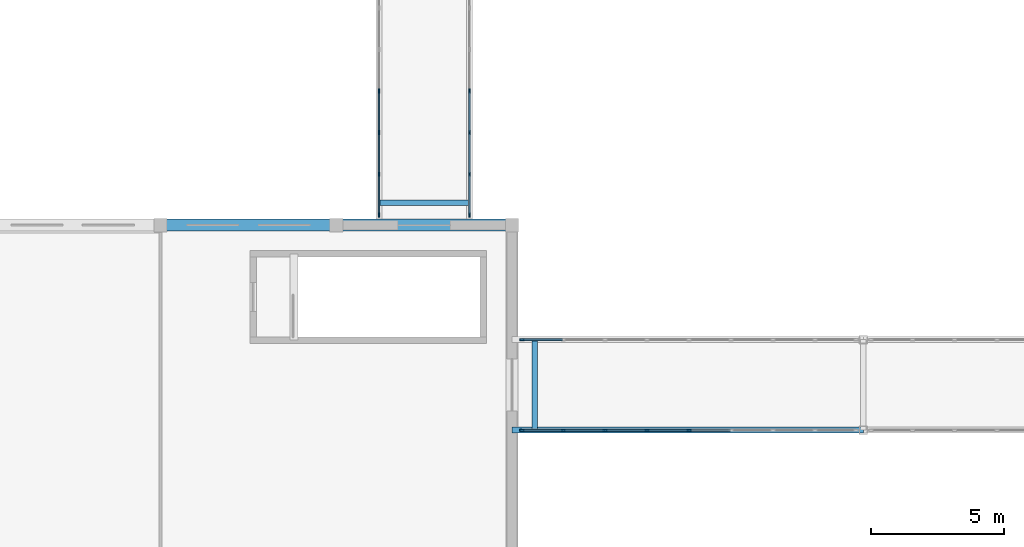
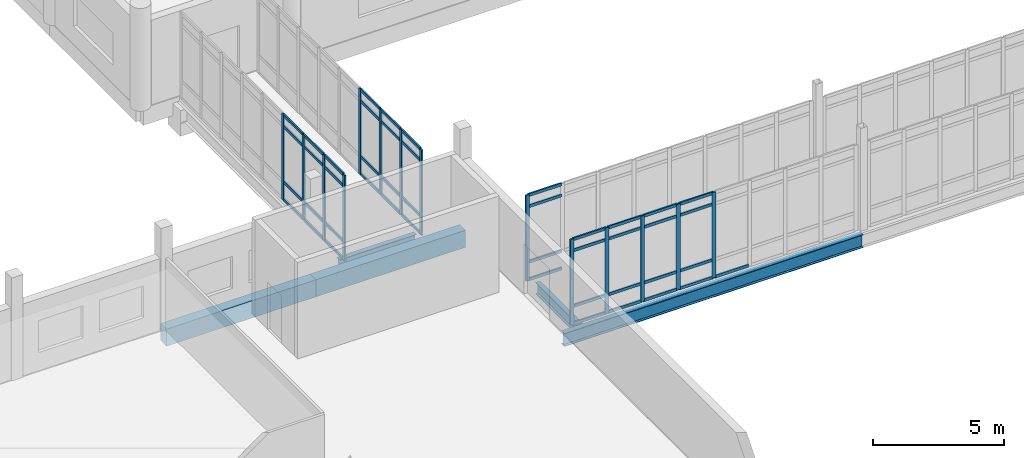
# One storey, part 10 of 101: 59 members, 5 beams, 4 elements without a shape of their own.
"""IFC4 building model written with IfcOpenShell, lengths in metres."""

from ifc_helpers import new_model, si_unit, direction, frame, origin, origin_2d, place, context, subcontext, project, spatial, rectangle, i_section, extrude, material, material_profile, profile_set, type_object, element, aggregate, save


model = new_model("IFC4")

# Units and contexts
model_context = context("Model", 3, precision=1e-05, world=origin(), true_north=direction((0.0, 1.0)))
body_context = subcontext(model_context, "Body", "Model", "MODEL_VIEW")
ifc_project = project(units=[si_unit("LENGTHUNIT", "METRE"), si_unit("AREAUNIT", "SQUARE_METRE"), si_unit("VOLUMEUNIT", "CUBIC_METRE"), si_unit("PLANEANGLEUNIT", "RADIAN"), si_unit("MASSUNIT", "GRAM", prefix="KILO")], contexts=[model_context])

# Site, building, storey
site_placement = place(None, origin())
site = spatial("IfcSite", under=ifc_project, at=site_placement, CompositionType="ELEMENT")
building_placement = place(site_placement, origin())
building = spatial("IfcBuilding", under=site, at=building_placement, Name="Dornvale Research Institute", CompositionType="ELEMENT")
storey_placement = place(building_placement, frame((0.0, 0.0, 10.199951171875)))
storey = spatial("IfcBuildingStorey", under=building, at=storey_placement, Name="L02", CompositionType="ELEMENT", Elevation=10.199951171875)

# Beams
ifc_material_1 = material(Name="Steel ASTM A992 Grade 50", Category="steel")
ifc_material_profile_1 = material_profile(ifc_material_1, i_section(OverallWidth=0.2099609375, OverallDepth=0.535888671875, WebThickness=0.010986328125, FlangeThickness=0.017333984375, at=origin_2d()), Name="W21X68")
ifc_profile_set_1 = profile_set([ifc_material_profile_1], Name="Steel ASTM A992 Grade 50")
beam_type_1 = type_object("IfcBeamType", Name="Beam_Steel_W21X68", PredefinedType="BEAM", material=ifc_profile_set_1)
for number, where, z_axis, x_axis, name in (
    (1, (41.199951171875, 27.25, -0.488037109375), (1.0, 0.0, 0.0), (0.0, 1.0, 0.0), "L02 BR-2 south cross beam #2013"),
    (2, (47.050048828125, 18.699951171875, -0.488037109375), (0.0, 1.0, 0.0), (-1.0, 0.0, 0.0), "L02 BR-6 west cross beam #2026"),
):
    element("IfcBeam", number, at=place(storey_placement, frame(where, z_axis=z_axis, x_axis=x_axis)), inside=storey, type_object=beam_type_1, Name=name, PredefinedType="BEAM", context=body_context, shape_type="SweptSolid", body=[
        extrude(i_section(OverallWidth=0.2099609375, OverallDepth=0.535888671875, WebThickness=0.010986328125, FlangeThickness=0.017333984375, at=origin_2d()), origin(), (0.0, 0.0, 1.0), 3.400146484375),
    ])
ifc_material_2 = material(Name="Steel ASTM A992 Grade 50", Category="steel")
ifc_material_profile_2 = material_profile(ifc_material_2, i_section(OverallWidth=0.22900390625, OverallDepth=0.612060546875, WebThickness=0.011962890625, FlangeThickness=0.01953125, at=origin_2d()), Name="W24X84")
ifc_profile_set_2 = profile_set([ifc_material_profile_2], Name="Steel ASTM A992 Grade 50")
beam_type_2 = type_object("IfcBeamType", Name="Beam_Steel_W24X84_Bridge", PredefinedType="BEAM", material=ifc_profile_set_2)
beam_1_placement = place(storey_placement, frame((46.199951171875, 18.699951171875, -0.52587890625), z_axis=(1.0, 0.0, 0.0), x_axis=(0.0, 1.0, 0.0)))
element("IfcBeam", 3, at=beam_1_placement, inside=storey, type_object=beam_type_2, Name="L02 BR-6 south girder #2026", PredefinedType="BEAM", context=body_context, shape_type="SweptSolid", body=[
    extrude(i_section(OverallWidth=0.22900390625, OverallDepth=0.612060546875, WebThickness=0.011962890625, FlangeThickness=0.01953125, at=origin_2d()), origin(), (0.0, 0.0, 1.0), 13.199951171875),
])

# Curtain wall, members
ifc_material_3 = material(Name="Low-E Argon Double Insulating Glazing Unit", Category="glass")
curtain_wall_type_1 = type_object("IfcCurtainWallType", Name="UnitisedCurtainWall_V2_12500x4000", PredefinedType="USERDEFINED", material=ifc_material_3)
curtain_wall_1_placement = place(storey_placement, origin())
curtain_wall_1 = element("IfcCurtainWall", 4, at=curtain_wall_1_placement, inside=storey, type_object=curtain_wall_type_1, Name="L02 V2 unitised curtain wall CW-39 #205", ObjectType="UNITISED CURTAIN WALL", PredefinedType="USERDEFINED")
ifc_material_4 = material(Name="Anodized Aluminum AA 6063-T6 Thermally Broken Frame", Category="aluminium")
ifc_material_profile_3 = material_profile(ifc_material_4, rectangle(XDim=0.06494140625, YDim=0.1650390625, at=origin_2d()), Name="ALU MULLION 65x165")
ifc_profile_set_3 = profile_set([ifc_material_profile_3], Name="Anodized Aluminum AA 6063-T6 Thermally Broken Frame")
member_type_1 = type_object("IfcMemberType", Name="Mullion_Atrium_65x165", PredefinedType="MULLION", material=ifc_profile_set_3)
member_1_placement = place(storey_placement, frame((41.199951171875, 26.782470703125, 0.0), z_axis=(0.0, 0.0, 1.0), x_axis=(-1.0, 0.0, 0.0)))
member_1 = element("IfcMember", 5, at=member_1_placement, type_object=member_type_1, Name="CW-39 mullion 1", PredefinedType="MULLION", context=body_context, shape_type="SweptSolid", body=[
    extrude(rectangle(XDim=0.06494140625, YDim=0.1650390625, at=origin_2d()), origin(), (0.0, 0.0, 1.0), 4.0),
])
member_2_placement = place(storey_placement, frame((41.199951171875, 28.3125, 0.0), z_axis=(0.0, 0.0, 1.0), x_axis=(-1.0, 0.0, 0.0)))
member_2 = element("IfcMember", 6, at=member_2_placement, type_object=member_type_1, Name="CW-39 mullion 2", PredefinedType="MULLION", context=body_context, shape_type="SweptSolid", body=[
    extrude(rectangle(XDim=0.06494140625, YDim=0.1650390625, at=origin_2d()), origin(), (0.0, 0.0, 1.0), 4.0),
])
member_3_placement = place(storey_placement, frame((41.199951171875, 29.875, 0.0), z_axis=(0.0, 0.0, 1.0), x_axis=(-1.0, 0.0, 0.0)))
member_3 = element("IfcMember", 7, at=member_3_placement, type_object=member_type_1, Name="CW-39 mullion 3", PredefinedType="MULLION", context=body_context, shape_type="SweptSolid", body=[
    extrude(rectangle(XDim=0.06494140625, YDim=0.1650390625, at=origin_2d()), origin(), (0.0, 0.0, 1.0), 4.0),
])
member_4_placement = place(storey_placement, frame((41.199951171875, 31.4375, 0.0), z_axis=(0.0, 0.0, 1.0), x_axis=(-1.0, 0.0, 0.0)))
member_4 = element("IfcMember", 8, at=member_4_placement, type_object=member_type_1, Name="CW-39 mullion 4", PredefinedType="MULLION", context=body_context, shape_type="SweptSolid", body=[
    extrude(rectangle(XDim=0.06494140625, YDim=0.1650390625, at=origin_2d()), origin(), (0.0, 0.0, 1.0), 4.0),
])

curtain_wall_2_placement = place(storey_placement, origin())
curtain_wall_2 = element("IfcCurtainWall", 9, at=curtain_wall_2_placement, inside=storey, type_object=curtain_wall_type_1, Name="L02 V2 unitised curtain wall CW-39 #206", ObjectType="UNITISED CURTAIN WALL", PredefinedType="USERDEFINED")
member_5_placement = place(storey_placement, frame((44.60009765625, 31.4375, 0.0), z_axis=(0.0, 0.0, 1.0), x_axis=(1.0, 0.0, 0.0)))
member_5 = element("IfcMember", 10, at=member_5_placement, type_object=member_type_1, Name="CW-39 mullion 6", PredefinedType="MULLION", context=body_context, shape_type="SweptSolid", body=[
    extrude(rectangle(XDim=0.06494140625, YDim=0.1650390625, at=origin_2d()), origin(), (0.0, 0.0, 1.0), 4.0),
])
member_6_placement = place(storey_placement, frame((44.60009765625, 29.875, 0.0), z_axis=(0.0, 0.0, 1.0), x_axis=(1.0, 0.0, 0.0)))
member_6 = element("IfcMember", 11, at=member_6_placement, type_object=member_type_1, Name="CW-39 mullion 7", PredefinedType="MULLION", context=body_context, shape_type="SweptSolid", body=[
    extrude(rectangle(XDim=0.06494140625, YDim=0.1650390625, at=origin_2d()), origin(), (0.0, 0.0, 1.0), 4.0),
])
member_7_placement = place(storey_placement, frame((44.60009765625, 28.3125, 0.0), z_axis=(0.0, 0.0, 1.0), x_axis=(1.0, 0.0, 0.0)))
member_7 = element("IfcMember", 12, at=member_7_placement, type_object=member_type_1, Name="CW-39 mullion 8", PredefinedType="MULLION", context=body_context, shape_type="SweptSolid", body=[
    extrude(rectangle(XDim=0.06494140625, YDim=0.1650390625, at=origin_2d()), origin(), (0.0, 0.0, 1.0), 4.0),
])
member_8_placement = place(storey_placement, frame((44.60009765625, 26.782470703125, 0.0), z_axis=(0.0, 0.0, 1.0), x_axis=(1.0, 0.0, 0.0)))
member_8 = element("IfcMember", 13, at=member_8_placement, type_object=member_type_1, Name="CW-39 mullion 9", PredefinedType="MULLION", context=body_context, shape_type="SweptSolid", body=[
    extrude(rectangle(XDim=0.06494140625, YDim=0.1650390625, at=origin_2d()), origin(), (0.0, 0.0, 1.0), 4.0),
])

# Curtain wall, member
ifc_material_5 = material(Name="Low-E Argon Double Insulating Glazing Unit", Category="glass")
curtain_wall_type_2 = type_object("IfcCurtainWallType", Name="UnitisedCurtainWall_V2_12600x4000", PredefinedType="USERDEFINED", material=ifc_material_5)
curtain_wall_3_placement = place(storey_placement, origin())
curtain_wall_3 = element("IfcCurtainWall", 14, at=curtain_wall_3_placement, inside=storey, type_object=curtain_wall_type_2, Name="L02 V2 unitised curtain wall CW-41 #223", ObjectType="UNITISED CURTAIN WALL", PredefinedType="USERDEFINED")
member_9_placement = place(storey_placement, frame((46.58251953125, 22.10009765625, 0.0), z_axis=(0.0, 0.0, 1.0), x_axis=(0.0, 1.0, 0.0)))
member_9 = element("IfcMember", 15, at=member_9_placement, type_object=member_type_1, Name="CW-41 mullion 1", PredefinedType="MULLION", context=body_context, shape_type="SweptSolid", body=[
    extrude(rectangle(XDim=0.06494140625, YDim=0.1650390625, at=origin_2d()), origin(), (0.0, 0.0, 1.0), 4.0),
])

# Curtain wall, members
curtain_wall_4_placement = place(storey_placement, origin())
curtain_wall_4 = element("IfcCurtainWall", 16, at=curtain_wall_4_placement, inside=storey, type_object=curtain_wall_type_2, Name="L02 V2 unitised curtain wall CW-41 #224", ObjectType="UNITISED CURTAIN WALL", PredefinedType="USERDEFINED")
member_10_placement = place(storey_placement, frame((52.85009765625, 18.699951171875, 0.0), z_axis=(0.0, 0.0, 1.0), x_axis=(0.0, -1.0, 0.0)))
member_10 = element("IfcMember", 17, at=member_10_placement, type_object=member_type_1, Name="CW-41 mullion 5", PredefinedType="MULLION", context=body_context, shape_type="SweptSolid", body=[
    extrude(rectangle(XDim=0.06494140625, YDim=0.1650390625, at=origin_2d()), origin(), (0.0, 0.0, 1.0), 4.0),
])
member_11_placement = place(storey_placement, frame((51.27490234375, 18.699951171875, 0.0), z_axis=(0.0, 0.0, 1.0), x_axis=(0.0, -1.0, 0.0)))
member_11 = element("IfcMember", 18, at=member_11_placement, type_object=member_type_1, Name="CW-41 mullion 6", PredefinedType="MULLION", context=body_context, shape_type="SweptSolid", body=[
    extrude(rectangle(XDim=0.06494140625, YDim=0.1650390625, at=origin_2d()), origin(), (0.0, 0.0, 1.0), 4.0),
])
member_12_placement = place(storey_placement, frame((49.699951171875, 18.699951171875, 0.0), z_axis=(0.0, 0.0, 1.0), x_axis=(0.0, -1.0, 0.0)))
member_12 = element("IfcMember", 19, at=member_12_placement, type_object=member_type_1, Name="CW-41 mullion 7", PredefinedType="MULLION", context=body_context, shape_type="SweptSolid", body=[
    extrude(rectangle(XDim=0.06494140625, YDim=0.1650390625, at=origin_2d()), origin(), (0.0, 0.0, 1.0), 4.0),
])
member_13_placement = place(storey_placement, frame((48.125, 18.699951171875, 0.0), z_axis=(0.0, 0.0, 1.0), x_axis=(0.0, -1.0, 0.0)))
member_13 = element("IfcMember", 20, at=member_13_placement, type_object=member_type_1, Name="CW-41 mullion 8", PredefinedType="MULLION", context=body_context, shape_type="SweptSolid", body=[
    extrude(rectangle(XDim=0.06494140625, YDim=0.1650390625, at=origin_2d()), origin(), (0.0, 0.0, 1.0), 4.0),
])
member_14_placement = place(storey_placement, frame((46.58251953125, 18.699951171875, 0.0), z_axis=(0.0, 0.0, 1.0), x_axis=(0.0, -1.0, 0.0)))
member_14 = element("IfcMember", 21, at=member_14_placement, type_object=member_type_1, Name="CW-41 mullion 9", PredefinedType="MULLION", context=body_context, shape_type="SweptSolid", body=[
    extrude(rectangle(XDim=0.06494140625, YDim=0.1650390625, at=origin_2d()), origin(), (0.0, 0.0, 1.0), 4.0),
])

# Beams
ifc_material_6 = material(Name="Concrete f'c 45 MPa (C35/45)", Category="concrete")
ifc_material_profile_4 = material_profile(ifc_material_6, rectangle(XDim=0.449951171875, YDim=0.800048828125, at=origin_2d()), Name="RC 450x800")
ifc_profile_set_4 = profile_set([ifc_material_profile_4], Name="Concrete f'c 45 MPa (C35/45)")
beam_type_3 = type_object("IfcBeamType", Name="Spandrel_RC450x800_Ext", PredefinedType="SPANDREL", material=ifc_profile_set_4)
beam_2_placement = place(storey_placement, frame((33.0, 26.39990234375, -0.39990234375), z_axis=(1.0, 0.0, 0.0), x_axis=(0.0, 1.0, 0.0)))
element("IfcBeam", 22, at=beam_2_placement, inside=storey, type_object=beam_type_3, Name="L02 perimeter spandrel #845", PredefinedType="SPANDREL", context=body_context, shape_type="SweptSolid", body=[
    extrude(rectangle(XDim=0.449951171875, YDim=0.800048828125, at=origin_2d()), origin(), (0.0, 0.0, 1.0), 6.60009765625),
])
beam_3_placement = place(storey_placement, frame((39.60009765625, 26.39990234375, -0.39990234375), z_axis=(1.0, 0.0, 0.0), x_axis=(0.0, 1.0, 0.0)))
element("IfcBeam", 23, at=beam_3_placement, inside=storey, type_object=beam_type_3, Name="L02 perimeter spandrel #846", PredefinedType="SPANDREL", context=body_context, shape_type="SweptSolid", body=[
    extrude(rectangle(XDim=0.449951171875, YDim=0.800048828125, at=origin_2d()), origin(), (0.0, 0.0, 1.0), 6.599853515625),
])

# Member
ifc_material_7 = material(Name="Anodized Aluminum AA 6063-T6 Thermally Broken Frame", Category="aluminium")
ifc_material_profile_5 = material_profile(ifc_material_7, rectangle(XDim=0.06494140625, YDim=0.135009765625, at=origin_2d()), Name="ALU TRANSOM 65x135")
ifc_profile_set_5 = profile_set([ifc_material_profile_5], Name="Anodized Aluminum AA 6063-T6 Thermally Broken Frame")
member_type_2 = type_object("IfcMemberType", Name="Transom_CW_65x135", PredefinedType="USERDEFINED", material=ifc_profile_set_5)
member_15_placement = place(storey_placement, frame((41.199951171875, 26.81494140625, 0.032470703125), z_axis=(0.0, 1.0, 0.0), x_axis=(-1.0, 0.0, 0.0)))
member_15 = element("IfcMember", 24, at=member_15_placement, type_object=member_type_2, Name="CW-39 transom 1.1", ObjectType="TRANSOM", PredefinedType="USERDEFINED", context=body_context, shape_type="SweptSolid", body=[
    extrude(rectangle(XDim=0.06494140625, YDim=0.135009765625, at=origin_2d()), origin(), (0.0, 0.0, 1.0), 1.465087890625),
])

member_16_placement = place(storey_placement, frame((41.199951171875, 26.81494140625, 0.85009765625), z_axis=(0.0, 1.0, 0.0), x_axis=(-1.0, 0.0, 0.0)))
member_16 = element("IfcMember", 25, at=member_16_placement, type_object=member_type_2, Name="CW-39 transom 1.2", ObjectType="TRANSOM", PredefinedType="USERDEFINED", context=body_context, shape_type="SweptSolid", body=[
    extrude(rectangle(XDim=0.06494140625, YDim=0.135009765625, at=origin_2d()), origin(), (0.0, 0.0, 1.0), 1.465087890625),
])

member_17_placement = place(storey_placement, frame((41.199951171875, 26.81494140625, 3.449951171875), z_axis=(0.0, 1.0, 0.0), x_axis=(-1.0, 0.0, 0.0)))
member_17 = element("IfcMember", 26, at=member_17_placement, type_object=member_type_2, Name="CW-39 transom 1.3", ObjectType="TRANSOM", PredefinedType="USERDEFINED", context=body_context, shape_type="SweptSolid", body=[
    extrude(rectangle(XDim=0.06494140625, YDim=0.135009765625, at=origin_2d()), origin(), (0.0, 0.0, 1.0), 1.465087890625),
])

member_18_placement = place(storey_placement, frame((41.199951171875, 26.81494140625, 3.967529296875), z_axis=(0.0, 1.0, 0.0), x_axis=(-1.0, 0.0, 0.0)))
member_18 = element("IfcMember", 27, at=member_18_placement, type_object=member_type_2, Name="CW-39 transom 1.4", ObjectType="TRANSOM", PredefinedType="USERDEFINED", context=body_context, shape_type="SweptSolid", body=[
    extrude(rectangle(XDim=0.06494140625, YDim=0.135009765625, at=origin_2d()), origin(), (0.0, 0.0, 1.0), 1.465087890625),
])

member_19_placement = place(storey_placement, frame((41.199951171875, 28.344970703125, 0.032470703125), z_axis=(0.0, 1.0, 0.0), x_axis=(-1.0, 0.0, 0.0)))
member_19 = element("IfcMember", 28, at=member_19_placement, type_object=member_type_2, Name="CW-39 transom 2.1", ObjectType="TRANSOM", PredefinedType="USERDEFINED", context=body_context, shape_type="SweptSolid", body=[
    extrude(rectangle(XDim=0.06494140625, YDim=0.135009765625, at=origin_2d()), origin(), (0.0, 0.0, 1.0), 1.49755859375),
])

member_20_placement = place(storey_placement, frame((41.199951171875, 28.344970703125, 0.85009765625), z_axis=(0.0, 1.0, 0.0), x_axis=(-1.0, 0.0, 0.0)))
member_20 = element("IfcMember", 29, at=member_20_placement, type_object=member_type_2, Name="CW-39 transom 2.2", ObjectType="TRANSOM", PredefinedType="USERDEFINED", context=body_context, shape_type="SweptSolid", body=[
    extrude(rectangle(XDim=0.06494140625, YDim=0.135009765625, at=origin_2d()), origin(), (0.0, 0.0, 1.0), 1.49755859375),
])

member_21_placement = place(storey_placement, frame((41.199951171875, 28.344970703125, 3.449951171875), z_axis=(0.0, 1.0, 0.0), x_axis=(-1.0, 0.0, 0.0)))
member_21 = element("IfcMember", 30, at=member_21_placement, type_object=member_type_2, Name="CW-39 transom 2.3", ObjectType="TRANSOM", PredefinedType="USERDEFINED", context=body_context, shape_type="SweptSolid", body=[
    extrude(rectangle(XDim=0.06494140625, YDim=0.135009765625, at=origin_2d()), origin(), (0.0, 0.0, 1.0), 1.49755859375),
])

member_22_placement = place(storey_placement, frame((41.199951171875, 28.344970703125, 3.967529296875), z_axis=(0.0, 1.0, 0.0), x_axis=(-1.0, 0.0, 0.0)))
member_22 = element("IfcMember", 31, at=member_22_placement, type_object=member_type_2, Name="CW-39 transom 2.4", ObjectType="TRANSOM", PredefinedType="USERDEFINED", context=body_context, shape_type="SweptSolid", body=[
    extrude(rectangle(XDim=0.06494140625, YDim=0.135009765625, at=origin_2d()), origin(), (0.0, 0.0, 1.0), 1.49755859375),
])

member_23_placement = place(storey_placement, frame((41.199951171875, 29.907470703125, 0.032470703125), z_axis=(0.0, 1.0, 0.0), x_axis=(-1.0, 0.0, 0.0)))
member_23 = element("IfcMember", 32, at=member_23_placement, type_object=member_type_2, Name="CW-39 transom 3.1", ObjectType="TRANSOM", PredefinedType="USERDEFINED", context=body_context, shape_type="SweptSolid", body=[
    extrude(rectangle(XDim=0.06494140625, YDim=0.135009765625, at=origin_2d()), origin(), (0.0, 0.0, 1.0), 1.49755859375),
])

member_24_placement = place(storey_placement, frame((41.199951171875, 29.907470703125, 0.85009765625), z_axis=(0.0, 1.0, 0.0), x_axis=(-1.0, 0.0, 0.0)))
member_24 = element("IfcMember", 33, at=member_24_placement, type_object=member_type_2, Name="CW-39 transom 3.2", ObjectType="TRANSOM", PredefinedType="USERDEFINED", context=body_context, shape_type="SweptSolid", body=[
    extrude(rectangle(XDim=0.06494140625, YDim=0.135009765625, at=origin_2d()), origin(), (0.0, 0.0, 1.0), 1.49755859375),
])

member_25_placement = place(storey_placement, frame((41.199951171875, 29.907470703125, 3.449951171875), z_axis=(0.0, 1.0, 0.0), x_axis=(-1.0, 0.0, 0.0)))
member_25 = element("IfcMember", 34, at=member_25_placement, type_object=member_type_2, Name="CW-39 transom 3.3", ObjectType="TRANSOM", PredefinedType="USERDEFINED", context=body_context, shape_type="SweptSolid", body=[
    extrude(rectangle(XDim=0.06494140625, YDim=0.135009765625, at=origin_2d()), origin(), (0.0, 0.0, 1.0), 1.49755859375),
])

member_26_placement = place(storey_placement, frame((41.199951171875, 29.907470703125, 3.967529296875), z_axis=(0.0, 1.0, 0.0), x_axis=(-1.0, 0.0, 0.0)))
member_26 = element("IfcMember", 35, at=member_26_placement, type_object=member_type_2, Name="CW-39 transom 3.4", ObjectType="TRANSOM", PredefinedType="USERDEFINED", context=body_context, shape_type="SweptSolid", body=[
    extrude(rectangle(XDim=0.06494140625, YDim=0.135009765625, at=origin_2d()), origin(), (0.0, 0.0, 1.0), 1.49755859375),
])

aggregate(curtain_wall_1, [member_1, member_2, member_3, member_4, member_15, member_16, member_17, member_18, member_19, member_20, member_21, member_22, member_23, member_24, member_25, member_26])

member_27_placement = place(storey_placement, frame((44.60009765625, 31.405029296875, 0.032470703125), z_axis=(0.0, -1.0, 0.0), x_axis=(1.0, 0.0, 0.0)))
member_27 = element("IfcMember", 36, at=member_27_placement, type_object=member_type_2, Name="CW-39 transom 6.1", ObjectType="TRANSOM", PredefinedType="USERDEFINED", context=body_context, shape_type="SweptSolid", body=[
    extrude(rectangle(XDim=0.06494140625, YDim=0.135009765625, at=origin_2d()), origin(), (0.0, 0.0, 1.0), 1.49755859375),
])

member_28_placement = place(storey_placement, frame((44.60009765625, 31.405029296875, 0.85009765625), z_axis=(0.0, -1.0, 0.0), x_axis=(1.0, 0.0, 0.0)))
member_28 = element("IfcMember", 37, at=member_28_placement, type_object=member_type_2, Name="CW-39 transom 6.2", ObjectType="TRANSOM", PredefinedType="USERDEFINED", context=body_context, shape_type="SweptSolid", body=[
    extrude(rectangle(XDim=0.06494140625, YDim=0.135009765625, at=origin_2d()), origin(), (0.0, 0.0, 1.0), 1.49755859375),
])

member_29_placement = place(storey_placement, frame((44.60009765625, 31.405029296875, 3.449951171875), z_axis=(0.0, -1.0, 0.0), x_axis=(1.0, 0.0, 0.0)))
member_29 = element("IfcMember", 38, at=member_29_placement, type_object=member_type_2, Name="CW-39 transom 6.3", ObjectType="TRANSOM", PredefinedType="USERDEFINED", context=body_context, shape_type="SweptSolid", body=[
    extrude(rectangle(XDim=0.06494140625, YDim=0.135009765625, at=origin_2d()), origin(), (0.0, 0.0, 1.0), 1.49755859375),
])

member_30_placement = place(storey_placement, frame((44.60009765625, 31.405029296875, 3.967529296875), z_axis=(0.0, -1.0, 0.0), x_axis=(1.0, 0.0, 0.0)))
member_30 = element("IfcMember", 39, at=member_30_placement, type_object=member_type_2, Name="CW-39 transom 6.4", ObjectType="TRANSOM", PredefinedType="USERDEFINED", context=body_context, shape_type="SweptSolid", body=[
    extrude(rectangle(XDim=0.06494140625, YDim=0.135009765625, at=origin_2d()), origin(), (0.0, 0.0, 1.0), 1.49755859375),
])

member_31_placement = place(storey_placement, frame((44.60009765625, 29.842529296875, 0.032470703125), z_axis=(0.0, -1.0, 0.0), x_axis=(1.0, 0.0, 0.0)))
member_31 = element("IfcMember", 40, at=member_31_placement, type_object=member_type_2, Name="CW-39 transom 7.1", ObjectType="TRANSOM", PredefinedType="USERDEFINED", context=body_context, shape_type="SweptSolid", body=[
    extrude(rectangle(XDim=0.06494140625, YDim=0.135009765625, at=origin_2d()), origin(), (0.0, 0.0, 1.0), 1.49755859375),
])

member_32_placement = place(storey_placement, frame((44.60009765625, 29.842529296875, 0.85009765625), z_axis=(0.0, -1.0, 0.0), x_axis=(1.0, 0.0, 0.0)))
member_32 = element("IfcMember", 41, at=member_32_placement, type_object=member_type_2, Name="CW-39 transom 7.2", ObjectType="TRANSOM", PredefinedType="USERDEFINED", context=body_context, shape_type="SweptSolid", body=[
    extrude(rectangle(XDim=0.06494140625, YDim=0.135009765625, at=origin_2d()), origin(), (0.0, 0.0, 1.0), 1.49755859375),
])

member_33_placement = place(storey_placement, frame((44.60009765625, 29.842529296875, 3.449951171875), z_axis=(0.0, -1.0, 0.0), x_axis=(1.0, 0.0, 0.0)))
member_33 = element("IfcMember", 42, at=member_33_placement, type_object=member_type_2, Name="CW-39 transom 7.3", ObjectType="TRANSOM", PredefinedType="USERDEFINED", context=body_context, shape_type="SweptSolid", body=[
    extrude(rectangle(XDim=0.06494140625, YDim=0.135009765625, at=origin_2d()), origin(), (0.0, 0.0, 1.0), 1.49755859375),
])

member_34_placement = place(storey_placement, frame((44.60009765625, 29.842529296875, 3.967529296875), z_axis=(0.0, -1.0, 0.0), x_axis=(1.0, 0.0, 0.0)))
member_34 = element("IfcMember", 43, at=member_34_placement, type_object=member_type_2, Name="CW-39 transom 7.4", ObjectType="TRANSOM", PredefinedType="USERDEFINED", context=body_context, shape_type="SweptSolid", body=[
    extrude(rectangle(XDim=0.06494140625, YDim=0.135009765625, at=origin_2d()), origin(), (0.0, 0.0, 1.0), 1.49755859375),
])

member_35_placement = place(storey_placement, frame((44.60009765625, 28.280029296875, 0.032470703125), z_axis=(0.0, -1.0, 0.0), x_axis=(1.0, 0.0, 0.0)))
member_35 = element("IfcMember", 44, at=member_35_placement, type_object=member_type_2, Name="CW-39 transom 8.1", ObjectType="TRANSOM", PredefinedType="USERDEFINED", context=body_context, shape_type="SweptSolid", body=[
    extrude(rectangle(XDim=0.06494140625, YDim=0.135009765625, at=origin_2d()), origin(), (0.0, 0.0, 1.0), 1.465087890625),
])

member_36_placement = place(storey_placement, frame((44.60009765625, 28.280029296875, 0.85009765625), z_axis=(0.0, -1.0, 0.0), x_axis=(1.0, 0.0, 0.0)))
member_36 = element("IfcMember", 45, at=member_36_placement, type_object=member_type_2, Name="CW-39 transom 8.2", ObjectType="TRANSOM", PredefinedType="USERDEFINED", context=body_context, shape_type="SweptSolid", body=[
    extrude(rectangle(XDim=0.06494140625, YDim=0.135009765625, at=origin_2d()), origin(), (0.0, 0.0, 1.0), 1.465087890625),
])

member_37_placement = place(storey_placement, frame((44.60009765625, 28.280029296875, 3.449951171875), z_axis=(0.0, -1.0, 0.0), x_axis=(1.0, 0.0, 0.0)))
member_37 = element("IfcMember", 46, at=member_37_placement, type_object=member_type_2, Name="CW-39 transom 8.3", ObjectType="TRANSOM", PredefinedType="USERDEFINED", context=body_context, shape_type="SweptSolid", body=[
    extrude(rectangle(XDim=0.06494140625, YDim=0.135009765625, at=origin_2d()), origin(), (0.0, 0.0, 1.0), 1.465087890625),
])

member_38_placement = place(storey_placement, frame((44.60009765625, 28.280029296875, 3.967529296875), z_axis=(0.0, -1.0, 0.0), x_axis=(1.0, 0.0, 0.0)))
member_38 = element("IfcMember", 47, at=member_38_placement, type_object=member_type_2, Name="CW-39 transom 8.4", ObjectType="TRANSOM", PredefinedType="USERDEFINED", context=body_context, shape_type="SweptSolid", body=[
    extrude(rectangle(XDim=0.06494140625, YDim=0.135009765625, at=origin_2d()), origin(), (0.0, 0.0, 1.0), 1.465087890625),
])

aggregate(curtain_wall_2, [member_5, member_6, member_7, member_8, member_27, member_28, member_29, member_30, member_31, member_32, member_33, member_34, member_35, member_36, member_37, member_38])

member_39_placement = place(storey_placement, frame((46.614990234375, 22.10009765625, 0.032470703125), z_axis=(1.0, 0.0, 0.0), x_axis=(0.0, 1.0, 0.0)))
member_39 = element("IfcMember", 48, at=member_39_placement, type_object=member_type_2, Name="CW-41 transom 1.1", ObjectType="TRANSOM", PredefinedType="USERDEFINED", context=body_context, shape_type="SweptSolid", body=[
    extrude(rectangle(XDim=0.06494140625, YDim=0.135009765625, at=origin_2d()), origin(), (0.0, 0.0, 1.0), 1.4775390625),
])

member_40_placement = place(storey_placement, frame((46.614990234375, 22.10009765625, 0.85009765625), z_axis=(1.0, 0.0, 0.0), x_axis=(0.0, 1.0, 0.0)))
member_40 = element("IfcMember", 49, at=member_40_placement, type_object=member_type_2, Name="CW-41 transom 1.2", ObjectType="TRANSOM", PredefinedType="USERDEFINED", context=body_context, shape_type="SweptSolid", body=[
    extrude(rectangle(XDim=0.06494140625, YDim=0.135009765625, at=origin_2d()), origin(), (0.0, 0.0, 1.0), 1.4775390625),
])

member_41_placement = place(storey_placement, frame((46.614990234375, 22.10009765625, 3.449951171875), z_axis=(1.0, 0.0, 0.0), x_axis=(0.0, 1.0, 0.0)))
member_41 = element("IfcMember", 50, at=member_41_placement, type_object=member_type_2, Name="CW-41 transom 1.3", ObjectType="TRANSOM", PredefinedType="USERDEFINED", context=body_context, shape_type="SweptSolid", body=[
    extrude(rectangle(XDim=0.06494140625, YDim=0.135009765625, at=origin_2d()), origin(), (0.0, 0.0, 1.0), 1.4775390625),
])

member_42_placement = place(storey_placement, frame((46.614990234375, 22.10009765625, 3.967529296875), z_axis=(1.0, 0.0, 0.0), x_axis=(0.0, 1.0, 0.0)))
member_42 = element("IfcMember", 51, at=member_42_placement, type_object=member_type_2, Name="CW-41 transom 1.4", ObjectType="TRANSOM", PredefinedType="USERDEFINED", context=body_context, shape_type="SweptSolid", body=[
    extrude(rectangle(XDim=0.06494140625, YDim=0.135009765625, at=origin_2d()), origin(), (0.0, 0.0, 1.0), 1.4775390625),
])

aggregate(curtain_wall_3, [member_9, member_39, member_40, member_41, member_42])

member_43_placement = place(storey_placement, frame((54.392578125, 18.699951171875, 0.032470703125), z_axis=(-1.0, 0.0, 0.0), x_axis=(0.0, -1.0, 0.0)))
member_43 = element("IfcMember", 52, at=member_43_placement, type_object=member_type_2, Name="CW-41 transom 4.1", ObjectType="TRANSOM", PredefinedType="USERDEFINED", context=body_context, shape_type="SweptSolid", body=[
    extrude(rectangle(XDim=0.06494140625, YDim=0.135009765625, at=origin_2d()), origin(), (0.0, 0.0, 1.0), 1.510009765625),
])

member_44_placement = place(storey_placement, frame((52.8173828125, 18.699951171875, 0.032470703125), z_axis=(-1.0, 0.0, 0.0), x_axis=(0.0, -1.0, 0.0)))
member_44 = element("IfcMember", 53, at=member_44_placement, type_object=member_type_2, Name="CW-41 transom 5.1", ObjectType="TRANSOM", PredefinedType="USERDEFINED", context=body_context, shape_type="SweptSolid", body=[
    extrude(rectangle(XDim=0.06494140625, YDim=0.135009765625, at=origin_2d()), origin(), (0.0, 0.0, 1.0), 1.509765625),
])

member_45_placement = place(storey_placement, frame((52.8173828125, 18.699951171875, 0.85009765625), z_axis=(-1.0, 0.0, 0.0), x_axis=(0.0, -1.0, 0.0)))
member_45 = element("IfcMember", 54, at=member_45_placement, type_object=member_type_2, Name="CW-41 transom 5.2", ObjectType="TRANSOM", PredefinedType="USERDEFINED", context=body_context, shape_type="SweptSolid", body=[
    extrude(rectangle(XDim=0.06494140625, YDim=0.135009765625, at=origin_2d()), origin(), (0.0, 0.0, 1.0), 1.509765625),
])

member_46_placement = place(storey_placement, frame((52.8173828125, 18.699951171875, 3.449951171875), z_axis=(-1.0, 0.0, 0.0), x_axis=(0.0, -1.0, 0.0)))
member_46 = element("IfcMember", 55, at=member_46_placement, type_object=member_type_2, Name="CW-41 transom 5.3", ObjectType="TRANSOM", PredefinedType="USERDEFINED", context=body_context, shape_type="SweptSolid", body=[
    extrude(rectangle(XDim=0.06494140625, YDim=0.135009765625, at=origin_2d()), origin(), (0.0, 0.0, 1.0), 1.509765625),
])

member_47_placement = place(storey_placement, frame((52.8173828125, 18.699951171875, 3.967529296875), z_axis=(-1.0, 0.0, 0.0), x_axis=(0.0, -1.0, 0.0)))
member_47 = element("IfcMember", 56, at=member_47_placement, type_object=member_type_2, Name="CW-41 transom 5.4", ObjectType="TRANSOM", PredefinedType="USERDEFINED", context=body_context, shape_type="SweptSolid", body=[
    extrude(rectangle(XDim=0.06494140625, YDim=0.135009765625, at=origin_2d()), origin(), (0.0, 0.0, 1.0), 1.509765625),
])

member_48_placement = place(storey_placement, frame((51.242431640625, 18.699951171875, 0.032470703125), z_axis=(-1.0, 0.0, 0.0), x_axis=(0.0, -1.0, 0.0)))
member_48 = element("IfcMember", 57, at=member_48_placement, type_object=member_type_2, Name="CW-41 transom 6.1", ObjectType="TRANSOM", PredefinedType="USERDEFINED", context=body_context, shape_type="SweptSolid", body=[
    extrude(rectangle(XDim=0.06494140625, YDim=0.135009765625, at=origin_2d()), origin(), (0.0, 0.0, 1.0), 1.510009765625),
])

member_49_placement = place(storey_placement, frame((51.242431640625, 18.699951171875, 0.85009765625), z_axis=(-1.0, 0.0, 0.0), x_axis=(0.0, -1.0, 0.0)))
member_49 = element("IfcMember", 58, at=member_49_placement, type_object=member_type_2, Name="CW-41 transom 6.2", ObjectType="TRANSOM", PredefinedType="USERDEFINED", context=body_context, shape_type="SweptSolid", body=[
    extrude(rectangle(XDim=0.06494140625, YDim=0.135009765625, at=origin_2d()), origin(), (0.0, 0.0, 1.0), 1.510009765625),
])

member_50_placement = place(storey_placement, frame((51.242431640625, 18.699951171875, 3.449951171875), z_axis=(-1.0, 0.0, 0.0), x_axis=(0.0, -1.0, 0.0)))
member_50 = element("IfcMember", 59, at=member_50_placement, type_object=member_type_2, Name="CW-41 transom 6.3", ObjectType="TRANSOM", PredefinedType="USERDEFINED", context=body_context, shape_type="SweptSolid", body=[
    extrude(rectangle(XDim=0.06494140625, YDim=0.135009765625, at=origin_2d()), origin(), (0.0, 0.0, 1.0), 1.510009765625),
])

member_51_placement = place(storey_placement, frame((51.242431640625, 18.699951171875, 3.967529296875), z_axis=(-1.0, 0.0, 0.0), x_axis=(0.0, -1.0, 0.0)))
member_51 = element("IfcMember", 60, at=member_51_placement, type_object=member_type_2, Name="CW-41 transom 6.4", ObjectType="TRANSOM", PredefinedType="USERDEFINED", context=body_context, shape_type="SweptSolid", body=[
    extrude(rectangle(XDim=0.06494140625, YDim=0.135009765625, at=origin_2d()), origin(), (0.0, 0.0, 1.0), 1.510009765625),
])

member_52_placement = place(storey_placement, frame((49.66748046875, 18.699951171875, 0.032470703125), z_axis=(-1.0, 0.0, 0.0), x_axis=(0.0, -1.0, 0.0)))
member_52 = element("IfcMember", 61, at=member_52_placement, type_object=member_type_2, Name="CW-41 transom 7.1", ObjectType="TRANSOM", PredefinedType="USERDEFINED", context=body_context, shape_type="SweptSolid", body=[
    extrude(rectangle(XDim=0.06494140625, YDim=0.135009765625, at=origin_2d()), origin(), (0.0, 0.0, 1.0), 1.510009765625),
])

member_53_placement = place(storey_placement, frame((49.66748046875, 18.699951171875, 0.85009765625), z_axis=(-1.0, 0.0, 0.0), x_axis=(0.0, -1.0, 0.0)))
member_53 = element("IfcMember", 62, at=member_53_placement, type_object=member_type_2, Name="CW-41 transom 7.2", ObjectType="TRANSOM", PredefinedType="USERDEFINED", context=body_context, shape_type="SweptSolid", body=[
    extrude(rectangle(XDim=0.06494140625, YDim=0.135009765625, at=origin_2d()), origin(), (0.0, 0.0, 1.0), 1.510009765625),
])

member_54_placement = place(storey_placement, frame((49.66748046875, 18.699951171875, 3.449951171875), z_axis=(-1.0, 0.0, 0.0), x_axis=(0.0, -1.0, 0.0)))
member_54 = element("IfcMember", 63, at=member_54_placement, type_object=member_type_2, Name="CW-41 transom 7.3", ObjectType="TRANSOM", PredefinedType="USERDEFINED", context=body_context, shape_type="SweptSolid", body=[
    extrude(rectangle(XDim=0.06494140625, YDim=0.135009765625, at=origin_2d()), origin(), (0.0, 0.0, 1.0), 1.510009765625),
])

member_55_placement = place(storey_placement, frame((49.66748046875, 18.699951171875, 3.967529296875), z_axis=(-1.0, 0.0, 0.0), x_axis=(0.0, -1.0, 0.0)))
member_55 = element("IfcMember", 64, at=member_55_placement, type_object=member_type_2, Name="CW-41 transom 7.4", ObjectType="TRANSOM", PredefinedType="USERDEFINED", context=body_context, shape_type="SweptSolid", body=[
    extrude(rectangle(XDim=0.06494140625, YDim=0.135009765625, at=origin_2d()), origin(), (0.0, 0.0, 1.0), 1.510009765625),
])

member_56_placement = place(storey_placement, frame((48.092529296875, 18.699951171875, 0.032470703125), z_axis=(-1.0, 0.0, 0.0), x_axis=(0.0, -1.0, 0.0)))
member_56 = element("IfcMember", 65, at=member_56_placement, type_object=member_type_2, Name="CW-41 transom 8.1", ObjectType="TRANSOM", PredefinedType="USERDEFINED", context=body_context, shape_type="SweptSolid", body=[
    extrude(rectangle(XDim=0.06494140625, YDim=0.135009765625, at=origin_2d()), origin(), (0.0, 0.0, 1.0), 1.4775390625),
])

member_57_placement = place(storey_placement, frame((48.092529296875, 18.699951171875, 0.85009765625), z_axis=(-1.0, 0.0, 0.0), x_axis=(0.0, -1.0, 0.0)))
member_57 = element("IfcMember", 66, at=member_57_placement, type_object=member_type_2, Name="CW-41 transom 8.2", ObjectType="TRANSOM", PredefinedType="USERDEFINED", context=body_context, shape_type="SweptSolid", body=[
    extrude(rectangle(XDim=0.06494140625, YDim=0.135009765625, at=origin_2d()), origin(), (0.0, 0.0, 1.0), 1.4775390625),
])

member_58_placement = place(storey_placement, frame((48.092529296875, 18.699951171875, 3.449951171875), z_axis=(-1.0, 0.0, 0.0), x_axis=(0.0, -1.0, 0.0)))
member_58 = element("IfcMember", 67, at=member_58_placement, type_object=member_type_2, Name="CW-41 transom 8.3", ObjectType="TRANSOM", PredefinedType="USERDEFINED", context=body_context, shape_type="SweptSolid", body=[
    extrude(rectangle(XDim=0.06494140625, YDim=0.135009765625, at=origin_2d()), origin(), (0.0, 0.0, 1.0), 1.4775390625),
])

member_59_placement = place(storey_placement, frame((48.092529296875, 18.699951171875, 3.967529296875), z_axis=(-1.0, 0.0, 0.0), x_axis=(0.0, -1.0, 0.0)))
member_59 = element("IfcMember", 68, at=member_59_placement, type_object=member_type_2, Name="CW-41 transom 8.4", ObjectType="TRANSOM", PredefinedType="USERDEFINED", context=body_context, shape_type="SweptSolid", body=[
    extrude(rectangle(XDim=0.06494140625, YDim=0.135009765625, at=origin_2d()), origin(), (0.0, 0.0, 1.0), 1.4775390625),
])

aggregate(curtain_wall_4, [member_10, member_11, member_12, member_13, member_14, member_43, member_44, member_45, member_46, member_47, member_48, member_49, member_50, member_51, member_52, member_53, member_54, member_55, member_56, member_57, member_58, member_59])

save(model, "model.ifc")
